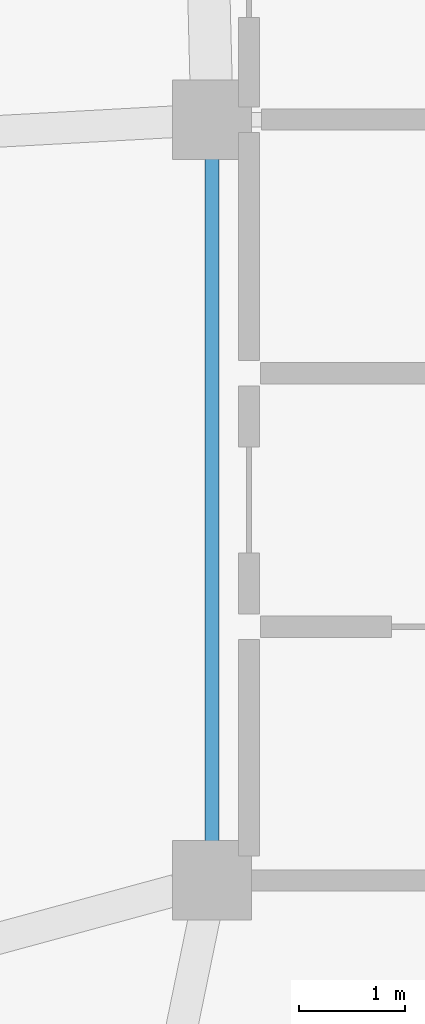
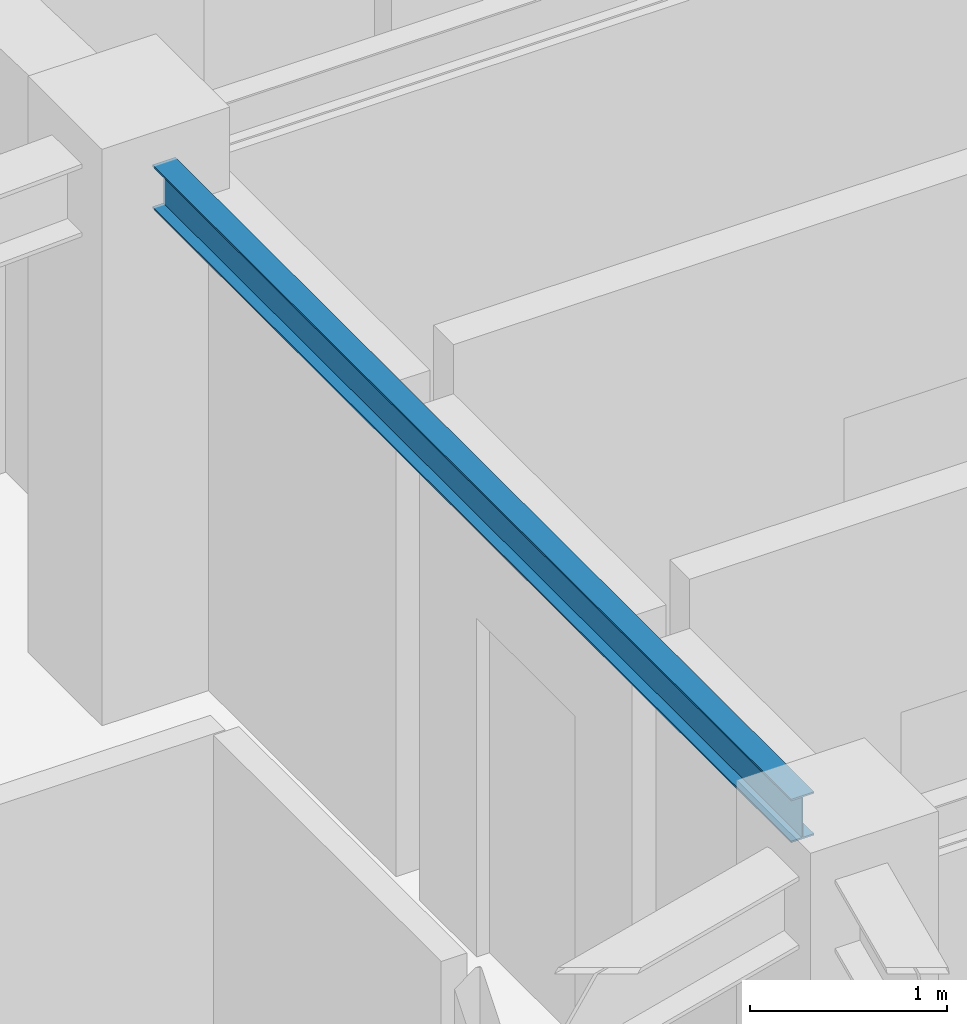
# One storey, part 6 of 27: 1 beam.
"""IFC4 building model written with IfcOpenShell, lengths in metres."""

from ifc_helpers import new_model, si_unit, direction, frame, origin, origin_2d, place, context, subcontext, project, spatial, i_section, extrude, material, material_profile, profile_set, type_object, element, save


model = new_model("IFC4")

# Units and contexts
model_context = context("Model", 3, precision=1e-05, world=origin(), true_north=direction((0.0, 1.0)))
body_context = subcontext(model_context, "Body", "Model", "MODEL_VIEW")
ifc_project = project(units=[si_unit("LENGTHUNIT", "METRE"), si_unit("AREAUNIT", "SQUARE_METRE"), si_unit("VOLUMEUNIT", "CUBIC_METRE"), si_unit("PLANEANGLEUNIT", "RADIAN"), si_unit("MASSUNIT", "GRAM", prefix="KILO")], contexts=[model_context])

# Site, building, storey
site_placement = place(None, origin())
site = spatial("IfcSite", under=ifc_project, at=site_placement, CompositionType="ELEMENT")
building_placement = place(site_placement, origin())
building = spatial("IfcBuilding", under=site, at=building_placement, Name="Varnakorn Sky Granary", CompositionType="ELEMENT")
storey_placement = place(building_placement, frame((0.0, 0.0, 263.39990234375)))
storey = spatial("IfcBuildingStorey", under=building, at=storey_placement, Name="L67", CompositionType="ELEMENT", Elevation=263.39990234375)

# Beam
ifc_material = material(Name="Steel S355JR", Category="steel")
ifc_material_profile = material_profile(ifc_material, i_section(OverallWidth=0.135009765625, OverallDepth=0.27001953125, WebThickness=0.006591796875, FlangeThickness=0.01025390625, at=origin_2d()), Name="IPE 270")
ifc_profile_set = profile_set([ifc_material_profile], Name="Steel S355JR")
beam_type = type_object("IfcBeamType", Name="BM-SEC-Z5", PredefinedType="BEAM", material=ifc_profile_set)
beam_placement = place(storey_placement, frame((-2.35009765625, 0.2451171875, 3.22509765625), z_axis=(0.0, -1.0, 0.0), x_axis=(1.0, 0.0, 0.0)))
element("IfcBeam", 1, at=beam_placement, inside=storey, type_object=beam_type, Name="Core Spine Framing Beam 3 L67", PredefinedType="BEAM", context=body_context, shape_type="SweptSolid", body=[
    extrude(i_section(OverallWidth=0.135009765625, OverallDepth=0.27001953125, WebThickness=0.006591796875, FlangeThickness=0.01025390625, at=origin_2d()), origin(), (0.0, 0.0, 1.0), 6.490234375),
])

save(model, "model.ifc")
